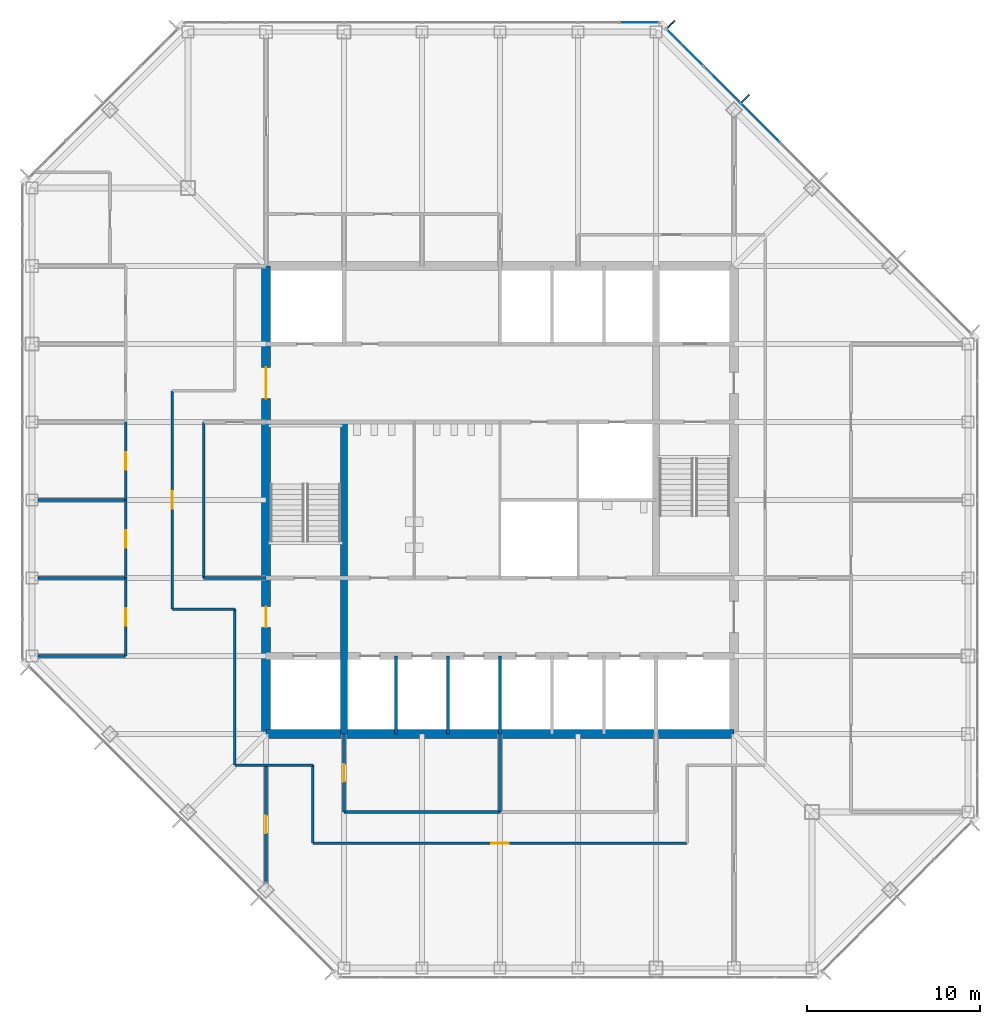
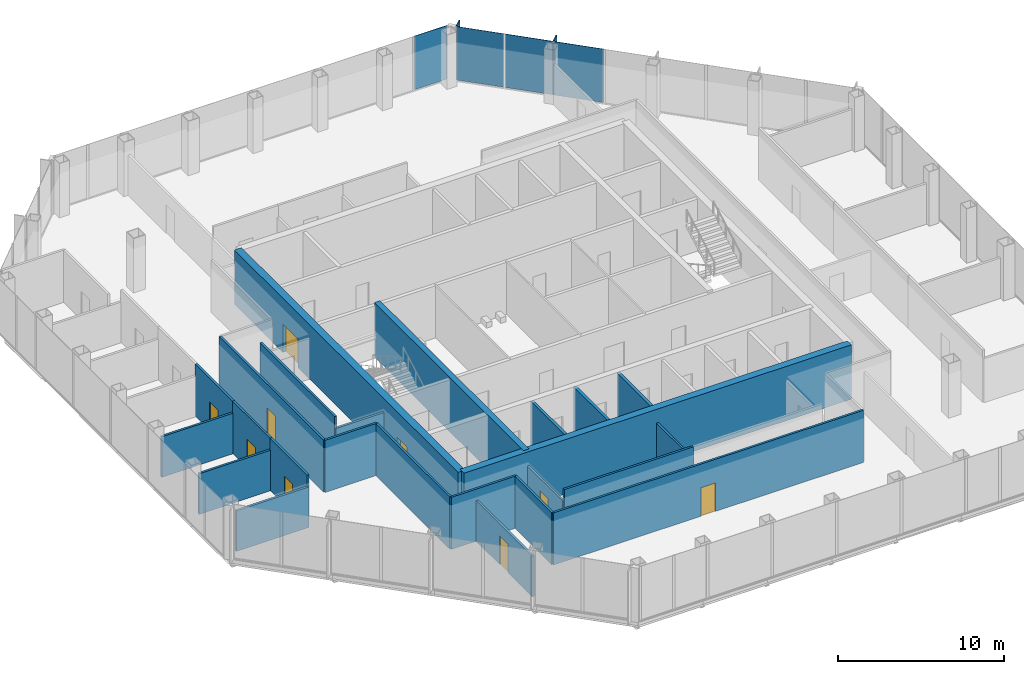
# One storey, part 8 of 13: 24 walls, 9 doors, 6 plates, 9 openings, 2 elements without a shape of their own.
"""IFC4 building model written with IfcOpenShell, lengths in metres."""

from ifc_helpers import new_model, si_unit, direction, frame, frame_2d, origin, origin_2d, place, context, subcontext, project, spatial, rectangle, extrude, material, layer, layer_set, type_object, element, fill, aggregate, save


model = new_model("IFC4")

# Units and contexts
model_context = context("Model", 3, precision=1e-05, world=origin(), true_north=direction((0.0, 1.0)))
body_context = subcontext(model_context, "Body", "Model", "MODEL_VIEW")
ifc_project = project(units=[si_unit("LENGTHUNIT", "METRE"), si_unit("AREAUNIT", "SQUARE_METRE"), si_unit("VOLUMEUNIT", "CUBIC_METRE"), si_unit("PLANEANGLEUNIT", "RADIAN"), si_unit("MASSUNIT", "GRAM", prefix="KILO")], contexts=[model_context])

# Site, building, storey
site_placement = place(None, origin())
site = spatial("IfcSite", under=ifc_project, at=site_placement, CompositionType="ELEMENT")
building_placement = place(site_placement, origin())
building = spatial("IfcBuilding", under=site, at=building_placement, Name="Corais Broadcast Tower", CompositionType="ELEMENT")
storey_placement = place(building_placement, frame((0.0, 0.0, 155.60009765625)))
storey = spatial("IfcBuildingStorey", under=building, at=storey_placement, Name="L35", CompositionType="ELEMENT", Elevation=155.60009765625)

# Curtain wall, plates
ifc_material_1 = material(Name="Aluminium and glass", Category="aluminium")
curtain_wall_type = type_object("IfcCurtainWallType", Name="Unitised fritted curtain wall CW2", PredefinedType="NOTDEFINED", material=ifc_material_1)
curtain_wall_1_placement = place(storey_placement, origin())
curtain_wall_1 = element("IfcCurtainWall", 1, at=curtain_wall_1_placement, inside=storey, type_object=curtain_wall_type, Name="CW2 curtain wall L35 5", PredefinedType="NOTDEFINED")
ifc_material_2 = material(Name="Ceramic-fritted laminated glass", Category="glass")
ifc_layer_1 = layer(ifc_material_2, 0.028076171875)
ifc_layer_set_1 = layer_set([ifc_layer_1], Name="Ceramic-fritted laminated glass")
plate_type_1 = type_object("IfcPlateType", Name="Fritted glass panel CW2", PredefinedType="CURTAIN_PANEL", material=ifc_layer_set_1)
plate_1_placement = place(storey_placement, frame((37.669677734375, 53.108154296875, 0.06494140625), z_axis=(0.0, 0.0, 1.0), x_axis=(0.707106781187, -0.707106781187, 0.0)))
plate_1 = element("IfcPlate", 2, at=plate_1_placement, type_object=plate_type_1, Name="CW2 panel 1", PredefinedType="CURTAIN_PANEL", context=body_context, shape_type="SweptSolid", body=[
    extrude(rectangle(XDim=2.9482421875, YDim=0.028076171875, at=origin_2d()), origin(), (0.0, 0.0, 1.0), 3.93505859375),
])
plate_2_placement = place(storey_placement, frame((42.013916015625, 48.763916015625, 0.06494140625), z_axis=(0.0, 0.0, 1.0), x_axis=(0.707106781187, -0.707106781187, 0.0)))
plate_2 = element("IfcPlate", 3, at=plate_2_placement, type_object=plate_type_1, Name="CW2 panel 3", PredefinedType="CURTAIN_PANEL", context=body_context, shape_type="SweptSolid", body=[
    extrude(rectangle(XDim=3.116943359375, YDim=0.028076171875, at=origin_2d()), origin(), (0.0, 0.0, 1.0), 3.93505859375),
])

# Curtain wall, plate
curtain_wall_2_placement = place(storey_placement, origin())
curtain_wall_2 = element("IfcCurtainWall", 4, at=curtain_wall_2_placement, inside=storey, type_object=curtain_wall_type, Name="CW2 curtain wall L35 4", PredefinedType="NOTDEFINED")
ifc_material_3 = material(Name="Clear laminated glass", Category="glass")
ifc_layer_2 = layer(ifc_material_3, 0.031982421875)
ifc_layer_set_2 = layer_set([ifc_layer_2], Name="Clear laminated glass")
plate_type_2 = type_object("IfcPlateType", Name="Operable glass panel CW2", PredefinedType="CURTAIN_PANEL", material=ifc_layer_set_2)
plate_3_placement = place(storey_placement, frame((35.029541015625, 54.550048828125, 0.06494140625), z_axis=(0.0, 0.0, 1.0), x_axis=(1.0, 0.0, 0.0)))
plate_3 = element("IfcPlate", 5, at=plate_3_placement, type_object=plate_type_2, Name="CW2 operable panel 8", PredefinedType="CURTAIN_PANEL", context=body_context, shape_type="SweptSolid", body=[
    extrude(rectangle(XDim=2.266357421875, YDim=0.031982421875, at=origin_2d()), origin(), (0.0, 0.0, 1.0), 3.93505859375),
])
aggregate(curtain_wall_2, [plate_3])

# Plate
plate_4_placement = place(storey_placement, frame((39.81201171875, 50.9658203125, 0.06494140625), z_axis=(0.0, 0.0, 1.0), x_axis=(0.707106781187, -0.707106781187, 0.0)))
plate_4 = element("IfcPlate", 6, at=plate_4_placement, type_object=plate_type_2, Name="CW2 operable panel 2", PredefinedType="CURTAIN_PANEL", context=body_context, shape_type="SweptSolid", body=[
    extrude(rectangle(XDim=2.98095703125, YDim=0.031982421875, at=origin_2d()), origin(), (0.0, 0.0, 1.0), 3.93505859375),
])

aggregate(curtain_wall_1, [plate_1, plate_4, plate_2])

# Plates
ifc_material_4 = material(Name="Granite stone cladding", Category="masonry")
ifc_layer_3 = layer(ifc_material_4, 0.080078125)
ifc_layer_set_3 = layer_set([ifc_layer_3], Name="Granite stone cladding")
plate_type_3 = type_object("IfcPlateType", Name="Stone screen fin 80x600", PredefinedType="USERDEFINED", material=ifc_layer_set_3)
for number, where, z_axis, x_axis, name in (
    (7, (36.8779296875, 54.447021484375, 0.0), (0.0, 0.0, 1.0), (0.707106781187, -0.707106781187, 0.0), "SF1 stone screen fin L35"),
    (8, (41.16259765625, 50.16259765625, 0.0), (0.0, 0.0, 1.0), (0.707106781187, -0.707106781187, 0.0), "SF1 stone screen fin L35"),
):
    element("IfcPlate", number, at=place(storey_placement, frame(where, z_axis=z_axis, x_axis=x_axis)), inside=storey, type_object=plate_type_3, Name=name, ObjectType="STONE SCREEN FIN", PredefinedType="USERDEFINED", context=body_context, shape_type="SweptSolid", body=[
        extrude(rectangle(XDim=0.080078125, YDim=0.60009765625, at=origin_2d()), origin(), (0.0, 0.0, 1.0), 4.0),
    ])

# Walls
ifc_material_5 = material(Name="Concrete C50/60", Category="concrete")
ifc_layer_4 = layer(ifc_material_5, 0.39990234375)
ifc_layer_set_4 = layer_set([ifc_layer_4], Name="Concrete C50/60")
wall_type_1 = type_object("IfcWallType", Name="Core wall 400", PredefinedType="SHEAR", material=ifc_layer_set_4)
wall_1_placement = place(storey_placement, frame((18.0, 13.5, 0.0), z_axis=(0.0, 0.0, 1.0), x_axis=(0.0, 1.0, 0.0)))
element("IfcWall", 9, at=wall_1_placement, inside=storey, type_object=wall_type_1, Name="CR400 core wall X18A L35", PredefinedType="SHEAR", context=body_context, shape_type="SweptSolid", body=[
    extrude(rectangle(XDim=18.0, YDim=0.39990234375, at=frame_2d((9.0, 0.0))), origin(), (0.0, 0.0, 1.0), 4.0),
])
ifc_material_6 = material(Name="Concrete C50/60", Category="concrete")
ifc_layer_5 = layer(ifc_material_6, 0.5)
ifc_layer_set_5 = layer_set([ifc_layer_5], Name="Concrete C50/60")
wall_type_2 = type_object("IfcWallType", Name="Core wall 500", PredefinedType="SHEAR", material=ifc_layer_set_5)
wall_2_placement = place(storey_placement, frame((13.5, 13.5, 0.0), z_axis=(0.0, 0.0, 1.0), x_axis=(1.0, 0.0, 0.0)))
element("IfcWall", 10, at=wall_2_placement, inside=storey, type_object=wall_type_2, Name="CR500 core wall S L35", PredefinedType="SHEAR", context=body_context, shape_type="SweptSolid", body=[
    extrude(rectangle(XDim=27.0, YDim=0.5, at=frame_2d((13.5, 0.0))), origin(), (0.0, 0.0, 1.0), 4.0),
])

# Wall, openings, doors
wall_3_placement = place(storey_placement, frame((13.5, 40.5, 0.0), z_axis=(0.0, 0.0, 1.0), x_axis=(0.0, -1.0, 0.0)))
wall_3 = element("IfcWall", 11, at=wall_3_placement, inside=storey, type_object=wall_type_2, Name="CR500 core wall W L35", PredefinedType="SHEAR", context=body_context, shape_type="SweptSolid", body=[
    extrude(rectangle(XDim=27.0, YDim=0.5, at=frame_2d((13.5, 0.0))), origin(), (0.0, 0.0, 1.0), 4.0),
])
opening_1_placement = place(wall_3_placement, frame((19.64990234375, 0.0, 0.0)))
opening_1 = element("IfcOpeningElement", 12, at=opening_1_placement, cuts=wall_3, Name="Opening FD1", PredefinedType="OPENING", context=body_context, shape_type="SweptSolid", body=[
    extrude(rectangle(XDim=1.199951171875, YDim=2.10009765625, at=frame_2d((0.60009765625, 1.050048828125))), frame((0.0, 0.260009765625, 0.0), z_axis=(0.0, -1.0, 0.0), x_axis=(1.0, 0.0, 0.0)), (0.0, 0.0, 1.0), 0.52001953125),
])
opening_2_placement = place(wall_3_placement, frame((5.85009765625, 0.0, 0.0)))
opening_2 = element("IfcOpeningElement", 13, at=opening_2_placement, cuts=wall_3, Name="Opening FD2", PredefinedType="OPENING", context=body_context, shape_type="SweptSolid", body=[
    extrude(rectangle(XDim=1.800048828125, YDim=2.10009765625, at=frame_2d((0.89990234375, 1.050048828125))), frame((0.0, 0.260009765625, 0.0), z_axis=(0.0, -1.0, 0.0), x_axis=(1.0, 0.0, 0.0)), (0.0, 0.0, 1.0), 0.52001953125),
])
ifc_material_7 = material(Name="Steel fire door", Category="steel")
door_type_1 = type_object("IfcDoorType", Name="Fire door 1200x2100", OperationType="SINGLE_SWING_LEFT", PredefinedType="DOOR", material=ifc_material_7)
door_1_placement = place(opening_1_placement, origin())
door_1 = element("IfcDoor", 14, at=door_1_placement, inside=storey, type_object=door_type_1, Name="FD1 fire lobby A door L35", OperationType="SINGLE_SWING_RIGHT", OverallHeight=2.10009765625, OverallWidth=1.199951171875, PredefinedType="DOOR", context=body_context, shape_type="SweptSolid", body=[
    extrude(rectangle(XDim=1.199951171875, YDim=2.10009765625, at=frame_2d((0.60009765625, 1.050048828125))), frame((0.0, 0.02490234375, 0.0), z_axis=(0.0, -1.0, 0.0), x_axis=(1.0, 0.0, 0.0)), (0.0, 0.0, 1.0), 0.050048828125),
])
fill(opening_1, door_1)
ifc_material_8 = material(Name="Steel fire door", Category="steel")
door_type_2 = type_object("IfcDoorType", Name="Fire door pair 1800x2100", OperationType="DOUBLE_DOOR_SINGLE_SWING", PredefinedType="DOOR", material=ifc_material_8)
door_2_placement = place(opening_2_placement, origin())
door_2 = element("IfcDoor", 15, at=door_2_placement, inside=storey, type_object=door_type_2, Name="FD2 lift lobby door L35", OperationType="SINGLE_SWING_LEFT", OverallHeight=2.10009765625, OverallWidth=1.800048828125, PredefinedType="DOOR", context=body_context, shape_type="SweptSolid", body=[
    extrude(rectangle(XDim=1.800048828125, YDim=2.10009765625, at=frame_2d((0.89990234375, 1.050048828125))), frame((0.0, 0.02490234375, 0.0), z_axis=(0.0, -1.0, 0.0), x_axis=(1.0, 0.0, 0.0)), (0.0, 0.0, 1.0), 0.050048828125),
])
fill(opening_2, door_2)

# Wall, opening, door
ifc_material_9 = material(Name="Gypsum board on steel studs", Category="steel")
ifc_layer_6 = layer(ifc_material_9, 0.14990234375)
ifc_layer_set_6 = layer_set([ifc_layer_6], Name="Gypsum board on steel studs")
wall_type_3 = type_object("IfcWallType", Name="Partition 150", PredefinedType="PARTITIONING", material=ifc_layer_set_6)
wall_4_placement = place(storey_placement, frame((16.199951171875, 7.199951171875, 0.0), z_axis=(0.0, 0.0, 1.0), x_axis=(1.0, 0.0, 0.0)))
wall_4 = element("IfcWall", 16, at=wall_4_placement, inside=storey, type_object=wall_type_3, Name="IW3 corridor wall L35", PredefinedType="PARTITIONING", context=body_context, shape_type="SweptSolid", body=[
    extrude(rectangle(XDim=21.60009765625, YDim=0.14990234375, at=frame_2d((10.800048828125, 0.0))), origin(), (0.0, 0.0, 1.0), 3.83984375),
])
opening_3_placement = place(wall_4_placement, frame((10.300048828125, 0.0, 0.0)))
opening_3 = element("IfcOpeningElement", 17, at=opening_3_placement, cuts=wall_4, Name="Opening D1", PredefinedType="OPENING", context=body_context, shape_type="SweptSolid", body=[
    extrude(rectangle(XDim=1.0, YDim=2.10009765625, at=frame_2d((0.5, 1.050048828125))), frame((0.0, 0.0849609375, 0.0), z_axis=(0.0, -1.0, 0.0), x_axis=(1.0, 0.0, 0.0)), (0.0, 0.0, 1.0), 0.169921875),
])
ifc_material_10 = material(Name="Timber door", Category="wood")
door_type_3 = type_object("IfcDoorType", Name="Single door 1000x2100", OperationType="SINGLE_SWING_LEFT", PredefinedType="DOOR", material=ifc_material_10)
door_3_placement = place(opening_3_placement, origin())
door_3 = element("IfcDoor", 18, at=door_3_placement, inside=storey, type_object=door_type_3, Name="D1 workplace door L35", OperationType="SINGLE_SWING_LEFT", OverallHeight=2.10009765625, OverallWidth=1.0, PredefinedType="DOOR", context=body_context, shape_type="SweptSolid", body=[
    extrude(rectangle(XDim=1.0, YDim=2.10009765625, at=frame_2d((0.5, 1.050048828125))), frame((0.0, 0.02490234375, 0.0), z_axis=(0.0, -1.0, 0.0), x_axis=(1.0, 0.0, 0.0)), (0.0, 0.0, 1.0), 0.050048828125),
])
fill(opening_3, door_3)

wall_5_placement = place(storey_placement, frame((8.10009765625, 33.300048828125, 0.0), z_axis=(0.0, 0.0, 1.0), x_axis=(0.0, -1.0, 0.0)))
wall_5 = element("IfcWall", 19, at=wall_5_placement, inside=storey, type_object=wall_type_3, Name="IW3 corridor wall L35", PredefinedType="PARTITIONING", context=body_context, shape_type="SweptSolid", body=[
    extrude(rectangle(XDim=12.60009765625, YDim=0.14990234375, at=frame_2d((6.300048828125, 0.0))), origin(), (0.0, 0.0, 1.0), 3.83984375),
])
opening_4_placement = place(wall_5_placement, frame((5.800048828125, 0.0, 0.0)))
opening_4 = element("IfcOpeningElement", 20, at=opening_4_placement, cuts=wall_5, Name="Opening D1", PredefinedType="OPENING", context=body_context, shape_type="SweptSolid", body=[
    extrude(rectangle(XDim=1.0, YDim=2.10009765625, at=frame_2d((0.5, 1.050048828125))), frame((0.0, 0.0849609375, 0.0), z_axis=(0.0, -1.0, 0.0), x_axis=(1.0, 0.0, 0.0)), (0.0, 0.0, 1.0), 0.169921875),
])
door_4_placement = place(opening_4_placement, origin())
door_4 = element("IfcDoor", 21, at=door_4_placement, inside=storey, type_object=door_type_3, Name="D1 workplace door L35", OperationType="SINGLE_SWING_LEFT", OverallHeight=2.10009765625, OverallWidth=1.0, PredefinedType="DOOR", context=body_context, shape_type="SweptSolid", body=[
    extrude(rectangle(XDim=1.0, YDim=2.10009765625, at=frame_2d((0.5, 1.050048828125))), frame((0.0, 0.02490234375, 0.0), z_axis=(0.0, -1.0, 0.0), x_axis=(1.0, 0.0, 0.0)), (0.0, 0.0, 1.0), 0.050048828125),
])
fill(opening_4, door_4)

# Walls
wall_6_placement = place(storey_placement, frame((11.699951171875, 20.699951171875, 0.0), z_axis=(0.0, 0.0, 1.0), x_axis=(0.0, -1.0, 0.0)))
element("IfcWall", 22, at=wall_6_placement, inside=storey, type_object=wall_type_3, Name="IW3 corridor wall L35", PredefinedType="PARTITIONING", context=body_context, shape_type="SweptSolid", body=[
    extrude(rectangle(XDim=9.0, YDim=0.14990234375, at=frame_2d((4.5, 0.0))), origin(), (0.0, 0.0, 1.0), 3.83984375),
])
for number, where, z_axis, x_axis, name in (
    (23, (11.699951171875, 11.699951171875, 0.0), (0.0, 0.0, 1.0), (1.0, 0.0, 0.0), "IW3 corridor wall L35"),
    (24, (16.199951171875, 11.699951171875, 0.0), (0.0, 0.0, 1.0), (0.0, -1.0, 0.0), "IW3 corridor wall L35"),
):
    element("IfcWall", number, at=place(storey_placement, frame(where, z_axis=z_axis, x_axis=x_axis)), inside=storey, type_object=wall_type_3, Name=name, PredefinedType="PARTITIONING", context=body_context, shape_type="SweptSolid", body=[
        extrude(rectangle(XDim=4.5, YDim=0.14990234375, at=frame_2d((2.25, 0.0))), origin(), (0.0, 0.0, 1.0), 3.83984375),
    ])
wall_7_placement = place(storey_placement, frame((8.10009765625, 20.699951171875, 0.0), z_axis=(0.0, 0.0, 1.0), x_axis=(1.0, 0.0, 0.0)))
element("IfcWall", 25, at=wall_7_placement, inside=storey, type_object=wall_type_3, Name="IW3 corridor wall L35", PredefinedType="PARTITIONING", context=body_context, shape_type="SweptSolid", body=[
    extrude(rectangle(XDim=3.599853515625, YDim=0.14990234375, at=frame_2d((1.7998046875, 0.0))), origin(), (0.0, 0.0, 1.0), 3.83984375),
])
wall_8_placement = place(storey_placement, frame((18.0, 9.0, 0.0), z_axis=(0.0, 0.0, 1.0), x_axis=(1.0, 0.0, 0.0)))
element("IfcWall", 26, at=wall_8_placement, inside=storey, type_object=wall_type_3, Name="IW3 partition L35", PredefinedType="PARTITIONING", context=body_context, shape_type="SweptSolid", body=[
    extrude(rectangle(XDim=9.0, YDim=0.14990234375, at=frame_2d((4.5, 0.0))), origin(), (0.0, 0.0, 1.0), 3.83984375),
])
wall_9_placement = place(storey_placement, frame((27.0, 9.0, 0.0), z_axis=(0.0, 0.0, 1.0), x_axis=(0.0, 1.0, 0.0)))
element("IfcWall", 27, at=wall_9_placement, inside=storey, type_object=wall_type_3, Name="IW3 partition L35", PredefinedType="PARTITIONING", context=body_context, shape_type="SweptSolid", body=[
    extrude(rectangle(XDim=4.5, YDim=0.14990234375, at=frame_2d((2.25, 0.0))), origin(), (0.0, 0.0, 1.0), 2.989013671875),
])

# Wall, opening, door
wall_10_placement = place(storey_placement, frame((18.0, 13.5, 0.0), z_axis=(0.0, 0.0, 1.0), x_axis=(0.0, -1.0, 0.0)))
wall_10 = element("IfcWall", 28, at=wall_10_placement, inside=storey, type_object=wall_type_3, Name="IW3 partition L35", PredefinedType="PARTITIONING", context=body_context, shape_type="SweptSolid", body=[
    extrude(rectangle(XDim=4.5, YDim=0.14990234375, at=frame_2d((2.25, 0.0))), origin(), (0.0, 0.0, 1.0), 2.989013671875),
])
opening_5_placement = place(wall_10_placement, frame((1.75, 0.0, 0.0)))
opening_5 = element("IfcOpeningElement", 29, at=opening_5_placement, cuts=wall_10, Name="Opening D1", PredefinedType="OPENING", context=body_context, shape_type="SweptSolid", body=[
    extrude(rectangle(XDim=1.0, YDim=2.10009765625, at=frame_2d((0.5, 1.050048828125))), frame((0.0, 0.0849609375, 0.0), z_axis=(0.0, -1.0, 0.0), x_axis=(1.0, 0.0, 0.0)), (0.0, 0.0, 1.0), 0.169921875),
])
door_5_placement = place(opening_5_placement, origin())
door_5 = element("IfcDoor", 30, at=door_5_placement, inside=storey, type_object=door_type_3, Name="D1 Meeting room door", OperationType="SINGLE_SWING_LEFT", OverallHeight=2.10009765625, OverallWidth=1.0, PredefinedType="DOOR", context=body_context, shape_type="SweptSolid", body=[
    extrude(rectangle(XDim=1.0, YDim=2.10009765625, at=frame_2d((0.5, 1.050048828125))), frame((0.0, 0.02490234375, 0.0), z_axis=(0.0, -1.0, 0.0), x_axis=(1.0, 0.0, 0.0)), (0.0, 0.0, 1.0), 0.050048828125),
])
fill(opening_5, door_5)

# Walls
wall_11_placement = place(storey_placement, frame((9.89990234375, 22.5, 0.0), z_axis=(0.0, 0.0, 1.0), x_axis=(1.0, 0.0, 0.0)))
element("IfcWall", 31, at=wall_11_placement, inside=storey, type_object=wall_type_3, Name="IW3 partition L35", PredefinedType="PARTITIONING", context=body_context, shape_type="SweptSolid", body=[
    extrude(rectangle(XDim=3.60009765625, YDim=0.14990234375, at=frame_2d((1.800048828125, 0.0))), origin(), (0.0, 0.0, 1.0), 2.989013671875),
])
wall_12_placement = place(storey_placement, frame((9.89990234375, 31.5, 0.0), z_axis=(0.0, 0.0, 1.0), x_axis=(0.0, -1.0, 0.0)))
element("IfcWall", 32, at=wall_12_placement, inside=storey, type_object=wall_type_3, Name="IW3 partition L35", PredefinedType="PARTITIONING", context=body_context, shape_type="SweptSolid", body=[
    extrude(rectangle(XDim=9.0, YDim=0.14990234375, at=frame_2d((4.5, 0.0))), origin(), (0.0, 0.0, 1.0), 3.83984375),
])
wall_13_placement = place(storey_placement, frame((0.360107421875, 18.0, 0.0), z_axis=(0.0, 0.0, 1.0), x_axis=(1.0, 0.0, 0.0)))
element("IfcWall", 33, at=wall_13_placement, inside=storey, type_object=wall_type_3, Name="IW3 partition L35", PredefinedType="PARTITIONING", context=body_context, shape_type="SweptSolid", body=[
    extrude(rectangle(XDim=5.039794921875, YDim=0.14990234375, at=frame_2d((2.52001953125, 0.0))), origin(), (0.0, 0.0, 1.0), 2.989013671875),
])

# Wall, opening, door
wall_14_placement = place(storey_placement, frame((5.39990234375, 18.0, 0.0), z_axis=(0.0, 0.0, 1.0), x_axis=(0.0, 1.0, 0.0)))
wall_14 = element("IfcWall", 34, at=wall_14_placement, inside=storey, type_object=wall_type_3, Name="IW3 partition L35", PredefinedType="PARTITIONING", context=body_context, shape_type="SweptSolid", body=[
    extrude(rectangle(XDim=4.5, YDim=0.14990234375, at=frame_2d((2.25, 0.0))), origin(), (0.0, 0.0, 1.0), 3.83984375),
])
opening_6_placement = place(wall_14_placement, frame((1.75, 0.0, 0.0)))
opening_6 = element("IfcOpeningElement", 35, at=opening_6_placement, cuts=wall_14, Name="Opening D1", PredefinedType="OPENING", context=body_context, shape_type="SweptSolid", body=[
    extrude(rectangle(XDim=1.0, YDim=2.10009765625, at=frame_2d((0.5, 1.050048828125))), frame((0.0, 0.0849609375, 0.0), z_axis=(0.0, -1.0, 0.0), x_axis=(1.0, 0.0, 0.0)), (0.0, 0.0, 1.0), 0.169921875),
])
door_6_placement = place(opening_6_placement, origin())
door_6 = element("IfcDoor", 36, at=door_6_placement, inside=storey, type_object=door_type_3, Name="D1 Edit room door", OperationType="SINGLE_SWING_LEFT", OverallHeight=2.10009765625, OverallWidth=1.0, PredefinedType="DOOR", context=body_context, shape_type="SweptSolid", body=[
    extrude(rectangle(XDim=1.0, YDim=2.10009765625, at=frame_2d((0.5, 1.050048828125))), frame((0.0, 0.02490234375, 0.0), z_axis=(0.0, -1.0, 0.0), x_axis=(1.0, 0.0, 0.0)), (0.0, 0.0, 1.0), 0.050048828125),
])
fill(opening_6, door_6)

# Wall
wall_15_placement = place(storey_placement, frame((5.39990234375, 22.5, 0.0), z_axis=(0.0, 0.0, 1.0), x_axis=(-1.0, 0.0, 0.0)))
element("IfcWall", 37, at=wall_15_placement, inside=storey, type_object=wall_type_3, Name="IW3 partition L35", PredefinedType="PARTITIONING", context=body_context, shape_type="SweptSolid", body=[
    extrude(rectangle(XDim=5.039794921875, YDim=0.14990234375, at=frame_2d((2.52001953125, 0.0))), origin(), (0.0, 0.0, 1.0), 2.989013671875),
])

# Wall, opening, door
wall_16_placement = place(storey_placement, frame((5.39990234375, 22.5, 0.0), z_axis=(0.0, 0.0, 1.0), x_axis=(0.0, 1.0, 0.0)))
wall_16 = element("IfcWall", 38, at=wall_16_placement, inside=storey, type_object=wall_type_3, Name="IW3 partition L35", PredefinedType="PARTITIONING", context=body_context, shape_type="SweptSolid", body=[
    extrude(rectangle(XDim=4.5, YDim=0.14990234375, at=frame_2d((2.25, 0.0))), origin(), (0.0, 0.0, 1.0), 3.83984375),
])
opening_7_placement = place(wall_16_placement, frame((1.75, 0.0, 0.0)))
opening_7 = element("IfcOpeningElement", 39, at=opening_7_placement, cuts=wall_16, Name="Opening D1", PredefinedType="OPENING", context=body_context, shape_type="SweptSolid", body=[
    extrude(rectangle(XDim=1.0, YDim=2.10009765625, at=frame_2d((0.5, 1.050048828125))), frame((0.0, 0.0849609375, 0.0), z_axis=(0.0, -1.0, 0.0), x_axis=(1.0, 0.0, 0.0)), (0.0, 0.0, 1.0), 0.169921875),
])
door_7_placement = place(opening_7_placement, origin())
door_7 = element("IfcDoor", 40, at=door_7_placement, inside=storey, type_object=door_type_3, Name="D1 Edit room door", OperationType="SINGLE_SWING_LEFT", OverallHeight=2.10009765625, OverallWidth=1.0, PredefinedType="DOOR", context=body_context, shape_type="SweptSolid", body=[
    extrude(rectangle(XDim=1.0, YDim=2.10009765625, at=frame_2d((0.5, 1.050048828125))), frame((0.0, 0.02490234375, 0.0), z_axis=(0.0, -1.0, 0.0), x_axis=(1.0, 0.0, 0.0)), (0.0, 0.0, 1.0), 0.050048828125),
])
fill(opening_7, door_7)

# Wall
wall_17_placement = place(storey_placement, frame((5.39990234375, 27.0, 0.0), z_axis=(0.0, 0.0, 1.0), x_axis=(-1.0, 0.0, 0.0)))
element("IfcWall", 41, at=wall_17_placement, inside=storey, type_object=wall_type_3, Name="IW3 partition L35", PredefinedType="PARTITIONING", context=body_context, shape_type="SweptSolid", body=[
    extrude(rectangle(XDim=5.039794921875, YDim=0.14990234375, at=frame_2d((2.52001953125, 0.0))), origin(), (0.0, 0.0, 1.0), 2.989013671875),
])

# Wall, opening, door
wall_18_placement = place(storey_placement, frame((5.39990234375, 27.0, 0.0), z_axis=(0.0, 0.0, 1.0), x_axis=(0.0, 1.0, 0.0)))
wall_18 = element("IfcWall", 42, at=wall_18_placement, inside=storey, type_object=wall_type_3, Name="IW3 partition L35", PredefinedType="PARTITIONING", context=body_context, shape_type="SweptSolid", body=[
    extrude(rectangle(XDim=4.5, YDim=0.14990234375, at=frame_2d((2.25, 0.0))), origin(), (0.0, 0.0, 1.0), 3.83984375),
])
opening_8_placement = place(wall_18_placement, frame((1.75, 0.0, 0.0)))
opening_8 = element("IfcOpeningElement", 43, at=opening_8_placement, cuts=wall_18, Name="Opening D1", PredefinedType="OPENING", context=body_context, shape_type="SweptSolid", body=[
    extrude(rectangle(XDim=1.0, YDim=2.10009765625, at=frame_2d((0.5, 1.050048828125))), frame((0.0, 0.0849609375, 0.0), z_axis=(0.0, -1.0, 0.0), x_axis=(1.0, 0.0, 0.0)), (0.0, 0.0, 1.0), 0.169921875),
])
door_8_placement = place(opening_8_placement, origin())
door_8 = element("IfcDoor", 44, at=door_8_placement, inside=storey, type_object=door_type_3, Name="D1 Edit room door", OperationType="SINGLE_SWING_LEFT", OverallHeight=2.10009765625, OverallWidth=1.0, PredefinedType="DOOR", context=body_context, shape_type="SweptSolid", body=[
    extrude(rectangle(XDim=1.0, YDim=2.10009765625, at=frame_2d((0.5, 1.050048828125))), frame((0.0, 0.02490234375, 0.0), z_axis=(0.0, -1.0, 0.0), x_axis=(1.0, 0.0, 0.0)), (0.0, 0.0, 1.0), 0.050048828125),
])
fill(opening_8, door_8)

wall_19_placement = place(storey_placement, frame((13.5, 4.8701171875, 0.0), z_axis=(0.0, 0.0, 1.0), x_axis=(0.0, 1.0, 0.0)))
wall_19 = element("IfcWall", 45, at=wall_19_placement, inside=storey, type_object=wall_type_3, Name="IW3 partition L35", PredefinedType="PARTITIONING", context=body_context, shape_type="SweptSolid", body=[
    extrude(rectangle(XDim=6.829833984375, YDim=0.14990234375, at=frame_2d((3.4150390625, 0.0))), origin(), (0.0, 0.0, 1.0), 2.989013671875),
])
opening_9_placement = place(wall_19_placement, frame((2.9150390625, 0.0, 0.0)))
opening_9 = element("IfcOpeningElement", 46, at=opening_9_placement, cuts=wall_19, Name="Opening D1", PredefinedType="OPENING", context=body_context, shape_type="SweptSolid", body=[
    extrude(rectangle(XDim=1.0, YDim=2.10009765625, at=frame_2d((0.5, 1.050048828125))), frame((0.0, 0.0849609375, 0.0), z_axis=(0.0, -1.0, 0.0), x_axis=(1.0, 0.0, 0.0)), (0.0, 0.0, 1.0), 0.169921875),
])
door_9_placement = place(opening_9_placement, origin())
door_9 = element("IfcDoor", 47, at=door_9_placement, inside=storey, type_object=door_type_3, Name="D1 team room door L35", OperationType="SINGLE_SWING_LEFT", OverallHeight=2.10009765625, OverallWidth=1.0, PredefinedType="DOOR", context=body_context, shape_type="SweptSolid", body=[
    extrude(rectangle(XDim=1.0, YDim=2.10009765625, at=frame_2d((0.5, 1.050048828125))), frame((0.0, 0.02490234375, 0.0), z_axis=(0.0, -1.0, 0.0), x_axis=(1.0, 0.0, 0.0)), (0.0, 0.0, 1.0), 0.050048828125),
])
fill(opening_9, door_9)

# Walls
ifc_material_11 = material(Name="Concrete blockwork class A, grouted, two-hour", Category="masonry")
ifc_layer_7 = layer(ifc_material_11, 0.199951171875)
ifc_layer_set_7 = layer_set([ifc_layer_7], Name="Concrete blockwork class A, grouted, two-hour")
wall_type_4 = type_object("IfcWallType", Name="Shaft wall 200", PredefinedType="PARTITIONING", material=ifc_layer_set_7)
for number, where, z_axis, x_axis, name in (
    (48, (21.0, 13.5, 0.0), (0.0, 0.0, 1.0), (0.0, 1.0, 0.0), "IW1 shaft wall L35"),
    (49, (24.0, 13.5, 0.0), (0.0, 0.0, 1.0), (0.0, 1.0, 0.0), "IW1 shaft wall L35"),
    (50, (27.0, 13.5, 0.0), (0.0, 0.0, 1.0), (0.0, 1.0, 0.0), "IW1 shaft wall L35"),
):
    element("IfcWall", number, at=place(storey_placement, frame(where, z_axis=z_axis, x_axis=x_axis)), inside=storey, type_object=wall_type_4, Name=name, PredefinedType="PARTITIONING", context=body_context, shape_type="SweptSolid", body=[
        extrude(rectangle(XDim=4.5, YDim=0.199951171875, at=frame_2d((2.25, 0.0))), origin(), (0.0, 0.0, 1.0), 3.83984375),
    ])

save(model, "model.ifc")
